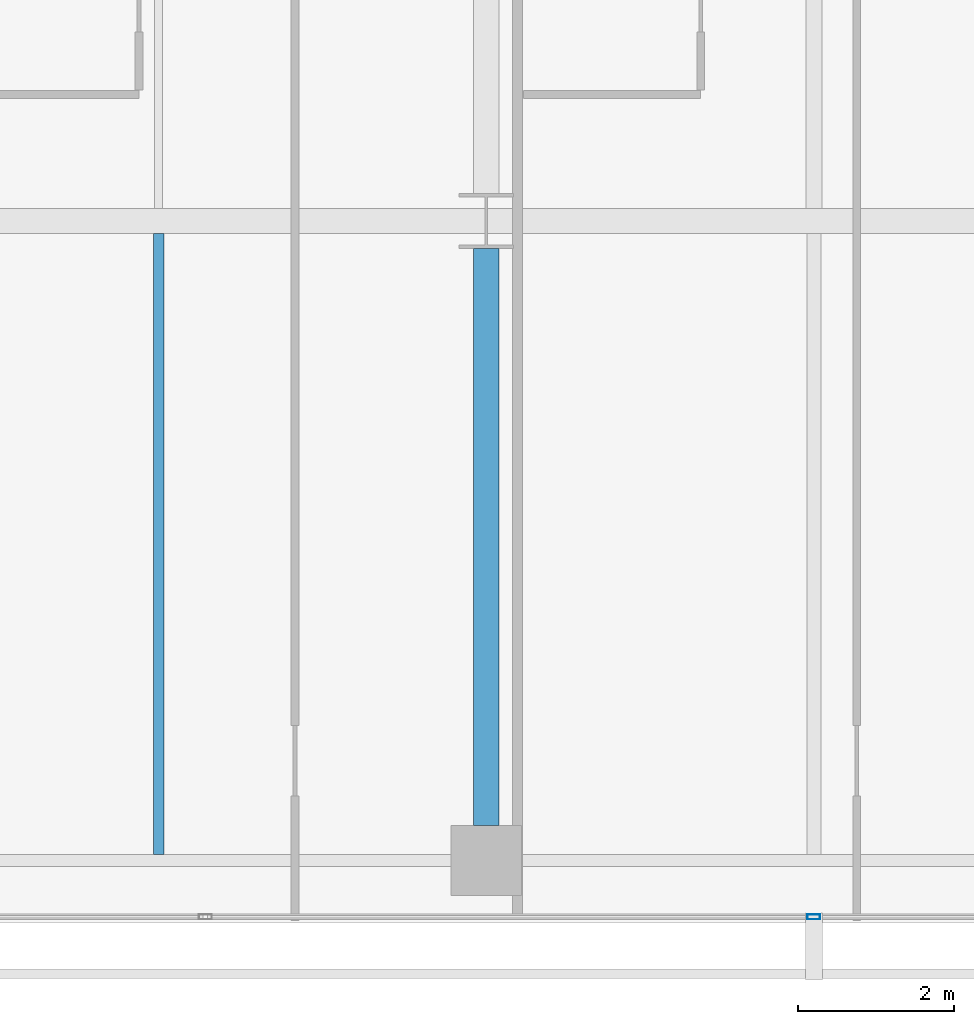
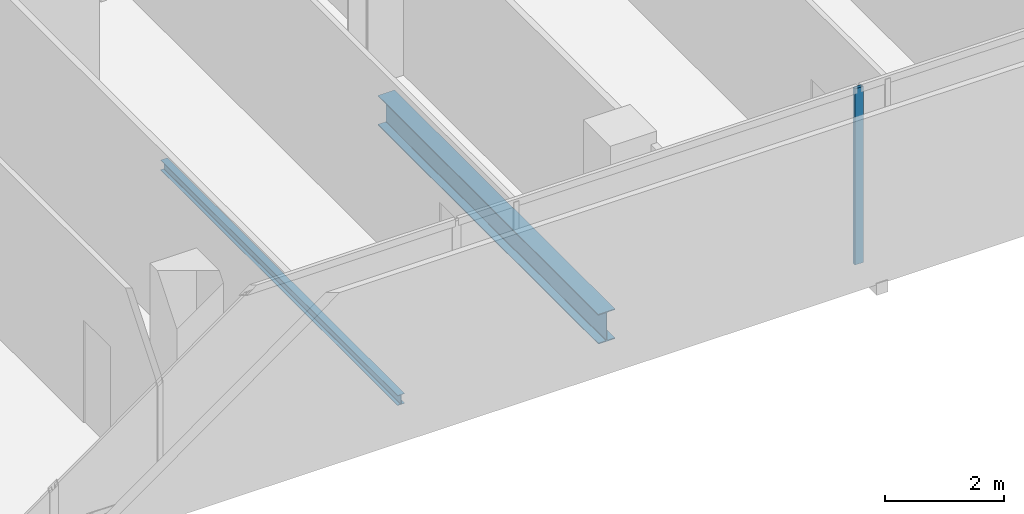
# One storey, part 8 of 40: 2 beams, 1 member, 1 element without a shape of its own.
"""IFC4 building model written with IfcOpenShell, lengths in metres."""

from ifc_helpers import new_model, si_unit, direction, frame, origin, origin_2d, place, context, subcontext, project, spatial, hollow_rectangle, i_section, extrude, material, layer, layer_set, material_profile, profile_set, type_object, element, aggregate, save


model = new_model("IFC4")

# Units and contexts
model_context = context("Model", 3, precision=1e-05, world=origin(), true_north=direction((0.0, 1.0)))
body_context = subcontext(model_context, "Body", "Model", "MODEL_VIEW")
ifc_project = project(units=[si_unit("LENGTHUNIT", "METRE"), si_unit("AREAUNIT", "SQUARE_METRE"), si_unit("VOLUMEUNIT", "CUBIC_METRE"), si_unit("PLANEANGLEUNIT", "RADIAN"), si_unit("MASSUNIT", "GRAM", prefix="KILO")], contexts=[model_context])

# Site, building, storey
site_placement = place(None, origin())
site = spatial("IfcSite", under=ifc_project, at=site_placement, CompositionType="ELEMENT")
building_placement = place(site_placement, origin())
building = spatial("IfcBuilding", under=site, at=building_placement, Name="Maruvema Waterfront Hotel and Observation Tower", CompositionType="ELEMENT")
storey_placement = place(building_placement, frame((0.0, 0.0, 77.0)))
storey = spatial("IfcBuildingStorey", under=building, at=storey_placement, Name="L18", CompositionType="ELEMENT", Elevation=77.0)

# Curtain wall, member
ifc_material_1 = material(Name="Anodised bronze aluminium and solar-control low-E IGU", Category="aluminium")
ifc_layer = layer(ifc_material_1, 0.159912109375, Name="Zone 1 Bronze Inner Thermal Curtain Wall System CW-02")
ifc_layer_set = layer_set([ifc_layer], Name="Anodised bronze aluminium and solar-control low-E IGU")
curtain_wall_type = type_object("IfcCurtainWallType", Name="Zone 1 Bronze Inner Thermal Curtain Wall System CW-02", PredefinedType="USERDEFINED", material=ifc_layer_set)
curtain_wall_placement = place(storey_placement, origin())
curtain_wall = element("IfcCurtainWall", 1, at=curtain_wall_placement, inside=storey, type_object=curtain_wall_type, Name="L18 Curtain Wall CW-L18-S", ObjectType="UNITISED CURTAIN WALL", PredefinedType="USERDEFINED")
ifc_material_2 = material(Name="Anodised architectural bronze aluminium", Category="aluminium")
ifc_material_profile_1 = material_profile(ifc_material_2, hollow_rectangle(XDim=0.06494140625, YDim=0.1650390625, WallThickness=0.00390625, at=origin_2d()), Name="ALU-M65x165")
ifc_profile_set_1 = profile_set([ifc_material_profile_1], Name="Anodised architectural bronze aluminium")
member_type = type_object("IfcMemberType", Name="Curtain Wall Primary Mullion ALU-M65x165", PredefinedType="MULLION", material=ifc_profile_set_1)
member_placement = place(storey_placement, frame((37.800048828125, 0.080078125, 0.0), z_axis=(0.0, 0.0, 1.0), x_axis=(0.0, 1.0, 0.0)))
member = element("IfcMember", 2, at=member_placement, type_object=member_type, Name="CW-02 mullion 4", PredefinedType="MULLION", context=body_context, shape_type="SweptSolid", body=[
    extrude(hollow_rectangle(XDim=0.06494140625, YDim=0.1650390625, WallThickness=0.00390625, at=origin_2d()), origin(), (0.0, 0.0, 1.0), 3.610107421875),
])
aggregate(curtain_wall, [member])

# Beams
ifc_material_3 = material(Name="Steel ASTM A572 Grade 50", Category="steel")
ifc_material_profile_2 = material_profile(ifc_material_3, i_section(OverallWidth=0.323974609375, OverallDepth=0.611083984375, WebThickness=0.0126953125, FlangeThickness=0.01904296875, FilletRadius=0.01806640625, at=origin_2d()), Name="W610x155.0")
ifc_profile_set_2 = profile_set([ifc_material_profile_2], Name="Steel ASTM A572 Grade 50")
beam_type_1 = type_object("IfcBeamType", Name="Primary Floor Girder W610x155.0", PredefinedType="BEAM", material=ifc_profile_set_2)
beam_1_placement = place(storey_placement, frame((33.60009765625, 1.25, -0.54541015625), z_axis=(0.0, 1.0, 0.0), x_axis=(-1.0, 0.0, 0.0)))
element("IfcBeam", 3, at=beam_1_placement, inside=storey, type_object=beam_type_1, Name="L18 Floor Girder NS-16", PredefinedType="BEAM", context=body_context, shape_type="SweptSolid", body=[
    extrude(i_section(OverallWidth=0.323974609375, OverallDepth=0.611083984375, WebThickness=0.0126953125, FlangeThickness=0.01904296875, FilletRadius=0.01806640625, at=origin_2d()), origin(), (0.0, 0.0, 1.0), 7.39990234375),
])
ifc_material_4 = material(Name="Steel ASTM A572 Grade 50", Category="steel")
ifc_material_profile_3 = material_profile(ifc_material_4, i_section(OverallWidth=0.133056640625, OverallDepth=0.20703125, WebThickness=0.005859375, FlangeThickness=0.00830078125, FilletRadius=0.010009765625, at=origin_2d()), Name="W200x26.6")
ifc_profile_set_3 = profile_set([ifc_material_profile_3], Name="Steel ASTM A572 Grade 50")
beam_type_2 = type_object("IfcBeamType", Name="Secondary Floor Joist W200x26.6", PredefinedType="JOIST", material=ifc_profile_set_3)
beam_2_placement = place(storey_placement, frame((29.39990234375, 0.87646484375, -0.343505859375), z_axis=(0.0, 1.0, 0.0), x_axis=(-1.0, 0.0, 0.0)))
element("IfcBeam", 4, at=beam_2_placement, inside=storey, type_object=beam_type_2, Name="L18 Secondary Floor Joist JS-10", PredefinedType="JOIST", context=body_context, shape_type="SweptSolid", body=[
    extrude(i_section(OverallWidth=0.133056640625, OverallDepth=0.20703125, WebThickness=0.005859375, FlangeThickness=0.00830078125, FilletRadius=0.010009765625, at=origin_2d()), origin(), (0.0, 0.0, 1.0), 7.96142578125),
])

save(model, "model.ifc")
